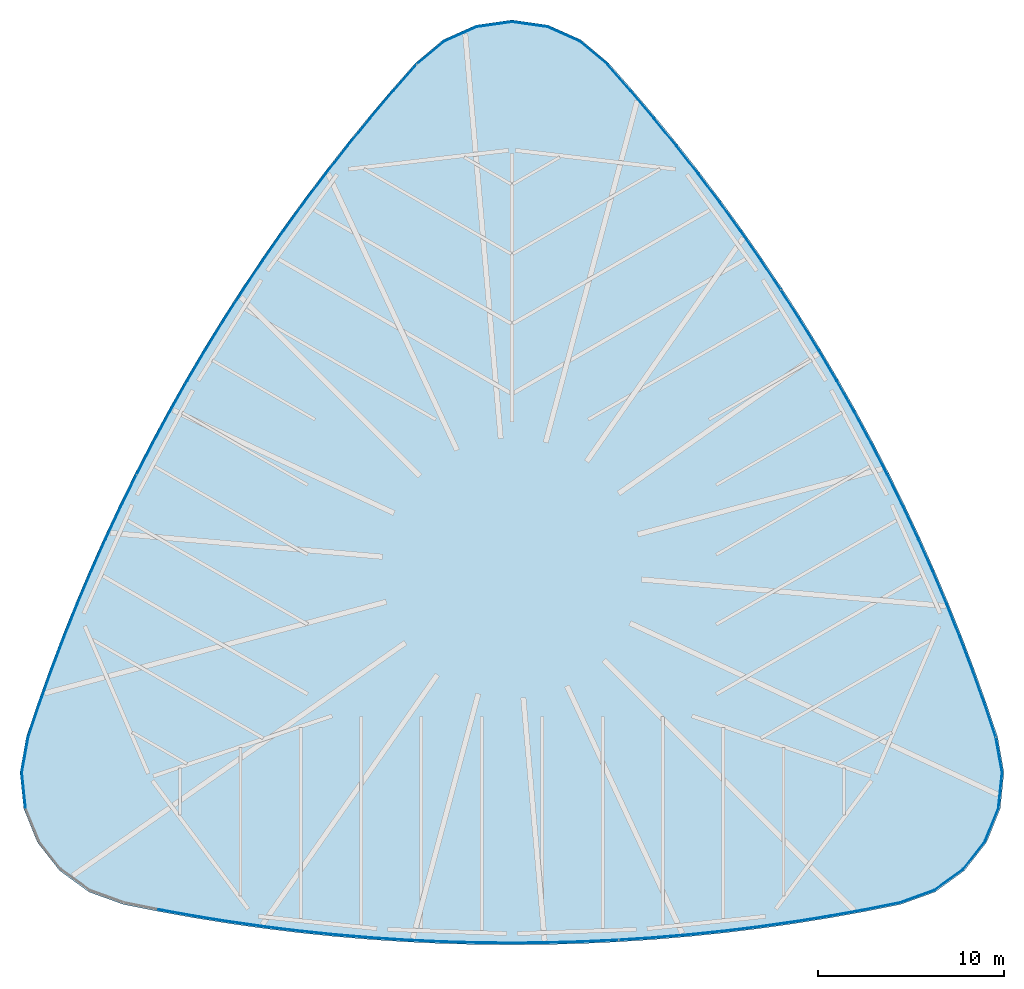
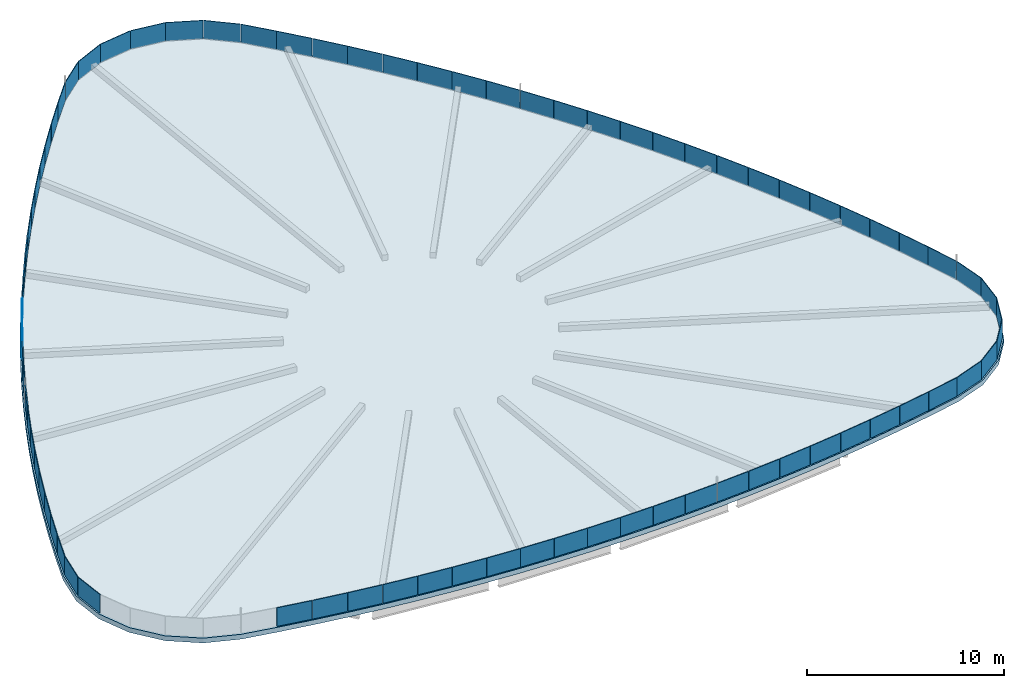
# One storey, part 2 of 9: 79 plates, 1 slab.
"""IFC4 building model written with IfcOpenShell, lengths in metres."""

from ifc_helpers import new_model, si_unit, direction, frame, origin, origin_2d, place, context, subcontext, project, spatial, polyline, rectangle, outline, extrude, material, layer, layer_set, type_object, element, save


model = new_model("IFC4")

# Units and contexts
model_context = context("Model", 3, precision=1e-05, world=origin(), true_north=direction((0.0, 1.0)))
body_context = subcontext(model_context, "Body", "Model", "MODEL_VIEW")
ifc_project = project(units=[si_unit("LENGTHUNIT", "METRE"), si_unit("AREAUNIT", "SQUARE_METRE"), si_unit("VOLUMEUNIT", "CUBIC_METRE"), si_unit("PLANEANGLEUNIT", "RADIAN"), si_unit("MASSUNIT", "GRAM", prefix="KILO")], contexts=[model_context])

# Site, building, storey
site_placement = place(None, origin())
site = spatial("IfcSite", under=ifc_project, at=site_placement, CompositionType="ELEMENT")
building_placement = place(site_placement, origin())
building = spatial("IfcBuilding", under=site, at=building_placement, Name="Sierra Prisma Convention Tower", CompositionType="ELEMENT")
storey_placement = place(building_placement, frame((0.0, 0.0, 361.0)))
storey = spatial("IfcBuildingStorey", under=building, at=storey_placement, Name="Roof", CompositionType="ELEMENT", Elevation=361.0)

# Slab
ifc_material_1 = material(Name="Concrete C50/60", Category="concrete")
ifc_layer_1 = layer(ifc_material_1, 0.300048828125)
ifc_layer_set_1 = layer_set([ifc_layer_1], Name="Roof canopy slab")
slab_type = type_object("IfcSlabType", Name="Roof canopy slab", PredefinedType="ROOF", material=ifc_layer_set_1)
slab_placement = place(storey_placement, origin())
element("IfcSlab", 1, at=slab_placement, inside=storey, type_object=slab_type, Name="Canopy roof slab", PredefinedType="ROOF", context=body_context, shape_type="SweptSolid", body=[
    extrude(outline(polyline([(-20.95703125, -18.11572265625), (-19.07568359375, -18.49365234375), (-17.187744140625, -18.836181640625), (-15.29345703125, -19.142822265625), (-13.3935546875, -19.41357421875), (-11.4892578125, -19.6484375), (-9.58056640625, -19.847412109375), (-7.66845703125, -20.01025390625), (-5.75390625, -20.136962890625), (-3.8369140625, -20.2275390625), (-1.9189453125, -20.281982421875), (0.0, -20.300048828125), (1.9189453125, -20.281982421875), (3.8369140625, -20.2275390625), (5.75390625, -20.136962890625), (7.66845703125, -20.01025390625), (9.58056640625, -19.847412109375), (11.4892578125, -19.6484375), (13.3935546875, -19.41357421875), (15.29345703125, -19.142822265625), (17.187744140625, -18.836181640625), (19.07568359375, -18.49365234375), (20.95703125, -18.11572265625), (22.792724609375, -17.45068359375), (24.373291015625, -16.304443359375), (25.575927734375, -14.766357421875), (26.306884765625, -12.955810546875), (26.50927734375, -11.013916015625), (26.167236328125, -9.091552734375), (25.553955078125, -7.273193359375), (24.906494140625, -5.466796875), (24.224853515625, -3.673095703125), (23.509521484375, -1.892333984375), (22.7607421875, -0.125732421875), (21.978759765625, 1.626708984375), (21.16357421875, 3.364013671875), (20.316162109375, 5.08544921875), (19.43603515625, 6.790771484375), (18.524169921875, 8.479248046875), (17.580322265625, 10.14990234375), (16.605224609375, 11.802734375), (15.59912109375, 13.436767578125), (14.562255859375, 15.051513671875), (13.4951171875, 16.646240234375), (12.398193359375, 18.220703125), (11.271484375, 19.774169921875), (10.115966796875, 21.30615234375), (8.931396484375, 22.81591796875), (7.71875, 24.302978515625), (6.478271484375, 25.76708984375), (5.210205078125, 27.207275390625), (3.71630859375, 28.464599609375), (1.933349609375, 29.26025390625), (0.0, 29.532470703125), (-1.933349609375, 29.26025390625), (-3.71630859375, 28.464599609375), (-5.210205078125, 27.207275390625), (-6.478271484375, 25.76708984375), (-7.71875, 24.302978515625), (-8.931396484375, 22.81591796875), (-10.115966796875, 21.30615234375), (-11.271484375, 19.774169921875), (-12.398193359375, 18.220703125), (-13.4951171875, 16.646240234375), (-14.562255859375, 15.051513671875), (-15.59912109375, 13.436767578125), (-16.605224609375, 11.802734375), (-17.580322265625, 10.14990234375), (-18.524169921875, 8.479248046875), (-19.43603515625, 6.790771484375), (-20.316162109375, 5.08544921875), (-21.16357421875, 3.364013671875), (-21.978759765625, 1.626708984375), (-22.7607421875, -0.125732421875), (-23.509521484375, -1.892333984375), (-24.224853515625, -3.673095703125), (-24.906494140625, -5.466796875), (-25.553955078125, -7.273193359375), (-26.167236328125, -9.091552734375), (-26.50927734375, -11.013916015625), (-26.306884765625, -12.955810546875), (-25.575927734375, -14.766357421875), (-24.373291015625, -16.304443359375), (-22.792724609375, -17.45068359375), (-20.95703125, -18.11572265625)])), origin(), (0.0, 0.0, 1.0), 0.300048828125),
])

# Plates
ifc_material_2 = material(Name="Laminated glass", Category="glass")
ifc_layer_2 = layer(ifc_material_2, 0.0400390625)
ifc_layer_set_2 = layer_set([ifc_layer_2], Name="Roof glass parapet")
plate_type = type_object("IfcPlateType", Name="Roof glass parapet", PredefinedType="SHEET", material=ifc_layer_set_2)
plate_1_placement = place(storey_placement, frame((-26.30859375, -11.974365234375, 0.300048828125), z_axis=(0.0, 0.0, 1.0), x_axis=(-0.103660539498, 0.994612734963, 0.0)))
element("IfcPlate", 2, at=plate_1_placement, inside=storey, type_object=plate_type, Name="Roof glass parapet", PredefinedType="SHEET", context=body_context, shape_type="SweptSolid", body=[
    extrude(rectangle(XDim=1.904296875, YDim=0.0400390625, at=origin_2d()), origin(), (0.0, 0.0, 1.0), 1.14990234375),
])
plate_2_placement = place(storey_placement, frame((-26.2392578125, -10.06689453125, 0.300048828125), z_axis=(0.0, 0.0, 1.0), x_axis=(0.175081483891, 0.984553946718, 0.0)))
element("IfcPlate", 3, at=plate_2_placement, inside=storey, type_object=plate_type, Name="Roof glass parapet", PredefinedType="SHEET", context=body_context, shape_type="SweptSolid", body=[
    extrude(rectangle(XDim=1.910888671875, YDim=0.0400390625, at=origin_2d()), origin(), (0.0, 0.0, 1.0), 1.14990234375),
])
plate_3_placement = place(storey_placement, frame((-25.764892578125, -8.211181640625, 0.300048828125), z_axis=(0.0, 0.0, 1.0), x_axis=(0.319637436428, 0.947539924876, 0.0)))
element("IfcPlate", 4, at=plate_3_placement, inside=storey, type_object=plate_type, Name="Roof glass parapet", PredefinedType="SHEET", context=body_context, shape_type="SweptSolid", body=[
    extrude(rectangle(XDim=1.890380859375, YDim=0.0400390625, at=origin_2d()), origin(), (0.0, 0.0, 1.0), 1.14990234375),
])
for number, where, z_axis, x_axis, name in (
    (5, (-25.135986328125, -6.40380859375, 0.300048828125), (0.0, 0.0, 1.0), (0.33746987587, 0.941336328248, 0.0), "Roof glass parapet"),
    (6, (-24.47216796875, -4.60546875, 0.300048828125), (0.0, 0.0, 1.0), (0.355182013879, 0.934797163569, 0.0), "Roof glass parapet"),
    (7, (-23.7744140625, -2.820068359375, 0.300048828125), (0.0, 0.0, 1.0), (0.372767536424, 0.927924761922, 0.0), "Roof glass parapet"),
    (8, (-23.04296875, -1.048095703125, 0.300048828125), (0.0, 0.0, 1.0), (0.390220174608, 0.920721573185, 0.0), "Roof glass parapet"),
    (9, (-22.2783203125, 0.709716796875, 0.300048828125), (0.0, 0.0, 1.0), (0.407533706906, 0.913190165155, 0.0), "Roof glass parapet"),
    (10, (-21.480712890625, 2.452880859375, 0.300048828125), (0.0, 0.0, 1.0), (0.424703541485, 0.905332481385, 0.0), "Roof glass parapet"),
    (11, (-20.650146484375, 4.1806640625, 0.300048828125), (0.0, 0.0, 1.0), (0.441720383714, 0.897152775514, 0.0), "Roof glass parapet"),
    (12, (-19.787109375, 5.892333984375, 0.300048828125), (0.0, 0.0, 1.0), (0.458579761236, 0.888653252166, 0.0), "Roof glass parapet"),
    (13, (-18.89208984375, 7.58740234375, 0.300048828125), (0.0, 0.0, 1.0), (0.475275664011, 0.879836941256, 0.0), "Roof glass parapet"),
    (14, (-17.965087890625, 9.265380859375, 0.300048828125), (0.0, 0.0, 1.0), (0.491802140277, 0.870706985626, 0.0), "Roof glass parapet"),
    (15, (-17.006591796875, 10.925537109375, 0.300048828125), (0.0, 0.0, 1.0), (0.508153298666, 0.861266639929, 0.0), "Roof glass parapet"),
    (16, (-16.01708984375, 12.5673828125, 0.300048828125), (0.0, 0.0, 1.0), (0.52432331031, 0.851519269462, 0.0), "Roof glass parapet"),
    (17, (-14.99658203125, 14.190185546875, 0.300048828125), (0.0, 0.0, 1.0), (0.540306410914, 0.841468348974, 0.0), "Roof glass parapet"),
    (18, (-13.945556640625, 15.793212890625, 0.300048828125), (0.0, 0.0, 1.0), (0.556096902814, 0.831117461422, 0.0), "Roof glass parapet"),
    (19, (-12.864501953125, 17.376220703125, 0.300048828125), (0.0, 0.0, 1.0), (0.571689157008, 0.820470296696, 0.0), "Roof glass parapet"),
    (20, (-11.75390625, 18.938720703125, 0.300048828125), (0.0, 0.0, 1.0), (0.587079028057, 0.809529625656, 0.0), "Roof glass parapet"),
    (21, (-10.614013671875, 20.47998046875, 0.300048828125), (0.0, 0.0, 1.0), (0.602258184887, 0.798301370872, 0.0), "Roof glass parapet"),
    (22, (-9.445068359375, 21.999267578125, 0.300048828125), (0.0, 0.0, 1.0), (0.617222648413, 0.78678853721, 0.0), "Roof glass parapet"),
    (23, (-8.24755859375, 23.49609375, 0.300048828125), (0.0, 0.0, 1.0), (0.631967084097, 0.774995228771, 0.0), "Roof glass parapet"),
    (24, (-7.022216796875, 24.970458984375, 0.300048828125), (0.0, 0.0, 1.0), (0.646486235833, 0.76292564964, 0.0), "Roof glass parapet"),
):
    element("IfcPlate", number, at=place(storey_placement, frame(where, z_axis=z_axis, x_axis=x_axis)), inside=storey, type_object=plate_type, Name=name, PredefinedType="SHEET", context=body_context, shape_type="SweptSolid", body=[
        extrude(rectangle(XDim=1.89697265625, YDim=0.0400390625, at=origin_2d()), origin(), (0.0, 0.0, 1.0), 1.14990234375),
    ])
plate_4_placement = place(storey_placement, frame((-5.771240234375, 26.418701171875, 0.300048828125), z_axis=(0.0, 0.0, 1.0), x_axis=(0.660774927828, 0.750584102385, 0.0)))
element("IfcPlate", 25, at=plate_4_placement, inside=storey, type_object=plate_type, Name="Roof glass parapet", PredefinedType="SHEET", context=body_context, shape_type="SweptSolid", body=[
    extrude(rectangle(XDim=1.890380859375, YDim=0.0400390625, at=origin_2d()), origin(), (0.0, 0.0, 1.0), 1.14990234375),
])
plate_5_placement = place(storey_placement, frame((-4.4013671875, 27.75732421875, 0.300048828125), z_axis=(0.0, 0.0, 1.0), x_axis=(0.765107987309, 0.643901986141, 0.0)))
element("IfcPlate", 26, at=plate_5_placement, inside=storey, type_object=plate_type, Name="Roof glass parapet", PredefinedType="SHEET", context=body_context, shape_type="SweptSolid", body=[
    extrude(rectangle(XDim=1.910888671875, YDim=0.0400390625, at=origin_2d()), origin(), (0.0, 0.0, 1.0), 1.14990234375),
])
for number, where, z_axis, x_axis, name in (
    (27, (-2.7841796875, 28.77099609375, 0.300048828125), (0.0, 0.0, 1.0), (0.913190165155, 0.407533706906, 0.0), "Roof glass parapet"),
    (28, (-0.95263671875, 29.29736328125, 0.300048828125), (0.0, 0.0, 1.0), (0.990227461896, 0.139461728463, 0.0), "Roof glass parapet"),
    (29, (0.95263671875, 29.29736328125, 0.300048828125), (0.0, 0.0, 1.0), (0.990227461896, -0.139461728463, 0.0), "Roof glass parapet"),
    (30, (2.7841796875, 28.77099609375, 0.300048828125), (0.0, 0.0, 1.0), (0.913190165155, -0.407533706906, 0.0), "Roof glass parapet"),
):
    element("IfcPlate", number, at=place(storey_placement, frame(where, z_axis=z_axis, x_axis=x_axis)), inside=storey, type_object=plate_type, Name=name, PredefinedType="SHEET", context=body_context, shape_type="SweptSolid", body=[
        extrude(rectangle(XDim=1.904296875, YDim=0.0400390625, at=origin_2d()), origin(), (0.0, 0.0, 1.0), 1.14990234375),
    ])
plate_6_placement = place(storey_placement, frame((4.4013671875, 27.75732421875, 0.300048828125), z_axis=(0.0, 0.0, 1.0), x_axis=(0.765107987309, -0.643901986141, 0.0)))
element("IfcPlate", 31, at=plate_6_placement, inside=storey, type_object=plate_type, Name="Roof glass parapet", PredefinedType="SHEET", context=body_context, shape_type="SweptSolid", body=[
    extrude(rectangle(XDim=1.910888671875, YDim=0.0400390625, at=origin_2d()), origin(), (0.0, 0.0, 1.0), 1.14990234375),
])
plate_7_placement = place(storey_placement, frame((5.771240234375, 26.418701171875, 0.300048828125), z_axis=(0.0, 0.0, 1.0), x_axis=(0.660774927828, -0.750584102385, 0.0)))
element("IfcPlate", 32, at=plate_7_placement, inside=storey, type_object=plate_type, Name="Roof glass parapet", PredefinedType="SHEET", context=body_context, shape_type="SweptSolid", body=[
    extrude(rectangle(XDim=1.890380859375, YDim=0.0400390625, at=origin_2d()), origin(), (0.0, 0.0, 1.0), 1.14990234375),
])
for number, where, z_axis, x_axis, name in (
    (33, (7.022216796875, 24.970458984375, 0.300048828125), (0.0, 0.0, 1.0), (0.646486235833, -0.76292564964, 0.0), "Roof glass parapet"),
    (34, (8.24755859375, 23.49609375, 0.300048828125), (0.0, 0.0, 1.0), (0.631967084097, -0.774995228771, 0.0), "Roof glass parapet"),
    (35, (9.445068359375, 21.999267578125, 0.300048828125), (0.0, 0.0, 1.0), (0.617222648413, -0.78678853721, 0.0), "Roof glass parapet"),
    (36, (10.614013671875, 20.47998046875, 0.300048828125), (0.0, 0.0, 1.0), (0.602258184887, -0.798301370872, 0.0), "Roof glass parapet"),
    (37, (11.75390625, 18.938720703125, 0.300048828125), (0.0, 0.0, 1.0), (0.587079028057, -0.809529625656, 0.0), "Roof glass parapet"),
    (38, (12.864501953125, 17.376220703125, 0.300048828125), (0.0, 0.0, 1.0), (0.571689157008, -0.820470296696, 0.0), "Roof glass parapet"),
    (39, (13.945556640625, 15.793212890625, 0.300048828125), (0.0, 0.0, 1.0), (0.556096902814, -0.831117461422, 0.0), "Roof glass parapet"),
    (40, (14.99658203125, 14.190185546875, 0.300048828125), (0.0, 0.0, 1.0), (0.540306410914, -0.841468348974, 0.0), "Roof glass parapet"),
    (41, (16.01708984375, 12.5673828125, 0.300048828125), (0.0, 0.0, 1.0), (0.52432331031, -0.851519269462, 0.0), "Roof glass parapet"),
    (42, (17.006591796875, 10.925537109375, 0.300048828125), (0.0, 0.0, 1.0), (0.508153298666, -0.861266639929, 0.0), "Roof glass parapet"),
    (43, (17.965087890625, 9.265380859375, 0.300048828125), (0.0, 0.0, 1.0), (0.491802140277, -0.870706985626, 0.0), "Roof glass parapet"),
    (44, (18.89208984375, 7.58740234375, 0.300048828125), (0.0, 0.0, 1.0), (0.475275664011, -0.879836941256, 0.0), "Roof glass parapet"),
    (45, (19.787109375, 5.892333984375, 0.300048828125), (0.0, 0.0, 1.0), (0.458579761236, -0.888653252166, 0.0), "Roof glass parapet"),
    (46, (20.650146484375, 4.1806640625, 0.300048828125), (0.0, 0.0, 1.0), (0.441720383714, -0.897152775514, 0.0), "Roof glass parapet"),
    (47, (21.480712890625, 2.452880859375, 0.300048828125), (0.0, 0.0, 1.0), (0.424703541485, -0.905332481385, 0.0), "Roof glass parapet"),
    (48, (22.2783203125, 0.709716796875, 0.300048828125), (0.0, 0.0, 1.0), (0.407533706906, -0.913190165155, 0.0), "Roof glass parapet"),
    (49, (23.04296875, -1.048095703125, 0.300048828125), (0.0, 0.0, 1.0), (0.390220174608, -0.920721573185, 0.0), "Roof glass parapet"),
    (50, (23.7744140625, -2.820068359375, 0.300048828125), (0.0, 0.0, 1.0), (0.372767536424, -0.927924761922, 0.0), "Roof glass parapet"),
    (51, (24.47216796875, -4.60546875, 0.300048828125), (0.0, 0.0, 1.0), (0.355182013879, -0.934797163569, 0.0), "Roof glass parapet"),
    (52, (25.135986328125, -6.40380859375, 0.300048828125), (0.0, 0.0, 1.0), (0.33746987587, -0.941336328248, 0.0), "Roof glass parapet"),
):
    element("IfcPlate", number, at=place(storey_placement, frame(where, z_axis=z_axis, x_axis=x_axis)), inside=storey, type_object=plate_type, Name=name, PredefinedType="SHEET", context=body_context, shape_type="SweptSolid", body=[
        extrude(rectangle(XDim=1.89697265625, YDim=0.0400390625, at=origin_2d()), origin(), (0.0, 0.0, 1.0), 1.14990234375),
    ])
plate_8_placement = place(storey_placement, frame((25.764892578125, -8.211181640625, 0.300048828125), z_axis=(0.0, 0.0, 1.0), x_axis=(0.319637436428, -0.947539924876, 0.0)))
element("IfcPlate", 53, at=plate_8_placement, inside=storey, type_object=plate_type, Name="Roof glass parapet", PredefinedType="SHEET", context=body_context, shape_type="SweptSolid", body=[
    extrude(rectangle(XDim=1.890380859375, YDim=0.0400390625, at=origin_2d()), origin(), (0.0, 0.0, 1.0), 1.14990234375),
])
plate_9_placement = place(storey_placement, frame((26.2392578125, -10.06689453125, 0.300048828125), z_axis=(0.0, 0.0, 1.0), x_axis=(0.175081483891, -0.984553946718, 0.0)))
element("IfcPlate", 54, at=plate_9_placement, inside=storey, type_object=plate_type, Name="Roof glass parapet", PredefinedType="SHEET", context=body_context, shape_type="SweptSolid", body=[
    extrude(rectangle(XDim=1.910888671875, YDim=0.0400390625, at=origin_2d()), origin(), (0.0, 0.0, 1.0), 1.14990234375),
])
for number, where, z_axis, x_axis, name in (
    (55, (26.30859375, -11.974365234375, 0.300048828125), (0.0, 0.0, 1.0), (-0.103660539498, -0.994612734963, 0.0), "Roof glass parapet"),
    (56, (25.8486328125, -13.823486328125, 0.300048828125), (0.0, 0.0, 1.0), (-0.374336331243, -0.927293001759, 0.0), "Roof glass parapet"),
    (57, (24.89599609375, -15.473876953125, 0.300048828125), (0.0, 0.0, 1.0), (-0.615891130653, -0.787831273296, 0.0), "Roof glass parapet"),
    (58, (23.5244140625, -16.796630859375, 0.300048828125), (0.0, 0.0, 1.0), (-0.809529625656, -0.587079028057, 0.0), "Roof glass parapet"),
):
    element("IfcPlate", number, at=place(storey_placement, frame(where, z_axis=z_axis, x_axis=x_axis)), inside=storey, type_object=plate_type, Name=name, PredefinedType="SHEET", context=body_context, shape_type="SweptSolid", body=[
        extrude(rectangle(XDim=1.904296875, YDim=0.0400390625, at=origin_2d()), origin(), (0.0, 0.0, 1.0), 1.14990234375),
    ])
plate_10_placement = place(storey_placement, frame((21.837890625, -17.6904296875, 0.300048828125), z_axis=(0.0, 0.0, 1.0), x_axis=(-0.9401894712, -0.340651960577, 0.0)))
element("IfcPlate", 59, at=plate_10_placement, inside=storey, type_object=plate_type, Name="Roof glass parapet", PredefinedType="SHEET", context=body_context, shape_type="SweptSolid", body=[
    extrude(rectangle(XDim=1.910888671875, YDim=0.0400390625, at=origin_2d()), origin(), (0.0, 0.0, 1.0), 1.14990234375),
])
plate_11_placement = place(storey_placement, frame((19.99365234375, -18.20751953125, 0.300048828125), z_axis=(0.0, 0.0, 1.0), x_axis=(-0.980412364257, -0.196955822491, 0.0)))
element("IfcPlate", 60, at=plate_11_placement, inside=storey, type_object=plate_type, Name="Roof glass parapet", PredefinedType="SHEET", context=body_context, shape_type="SweptSolid", body=[
    extrude(rectangle(XDim=1.890380859375, YDim=0.0400390625, at=origin_2d()), origin(), (0.0, 0.0, 1.0), 1.14990234375),
])
for number, where, z_axis, x_axis, name in (
    (61, (18.114013671875, -18.56640625, 0.300048828125), (0.0, 0.0, 1.0), (-0.983956111703, -0.178410678609, 0.0), "Roof glass parapet"),
    (62, (16.224609375, -18.890625, 0.300048828125), (0.0, 0.0, 1.0), (-0.987149097976, -0.159801934798, 0.0), "Roof glass parapet"),
    (63, (14.329345703125, -19.17919921875, 0.300048828125), (0.0, 0.0, 1.0), (-0.989990184837, -0.141136224712, 0.0), "Roof glass parapet"),
    (64, (12.42919921875, -19.431884765625, 0.300048828125), (0.0, 0.0, 1.0), (-0.992478359495, -0.122420202313, 0.0), "Roof glass parapet"),
    (65, (10.5244140625, -19.6484375, 0.300048828125), (0.0, 0.0, 1.0), (-0.994612734963, -0.103660539498, 0.0), "Roof glass parapet"),
    (66, (8.6162109375, -19.8291015625, 0.300048828125), (0.0, 0.0, 1.0), (-0.996392698493, -0.084862184689, 0.0), "Roof glass parapet"),
    (67, (6.70458984375, -19.973876953125, 0.300048828125), (0.0, 0.0, 1.0), (-0.997817286527, -0.066035314091, 0.0), "Roof glass parapet"),
    (68, (4.790771484375, -20.08251953125, 0.300048828125), (0.0, 0.0, 1.0), (-0.998886172149, -0.047184903192, 0.0), "Roof glass parapet"),
    (69, (2.875, -20.15478515625, 0.300048828125), (0.0, 0.0, 1.0), (-0.999598974321, -0.028317671794, 0.0), "Roof glass parapet"),
    (70, (0.95849609375, -20.19091796875, 0.300048828125), (0.0, 0.0, 1.0), (-0.999955438944, -0.009440345698, 0.0), "Roof glass parapet"),
    (71, (-0.95849609375, -20.19091796875, 0.300048828125), (0.0, 0.0, 1.0), (-0.999955438944, 0.009440345698, 0.0), "Roof glass parapet"),
    (72, (-2.875, -20.15478515625, 0.300048828125), (0.0, 0.0, 1.0), (-0.999598974321, 0.028317671794, 0.0), "Roof glass parapet"),
    (73, (-4.790771484375, -20.08251953125, 0.300048828125), (0.0, 0.0, 1.0), (-0.998886172149, 0.047184903192, 0.0), "Roof glass parapet"),
    (74, (-6.70458984375, -19.973876953125, 0.300048828125), (0.0, 0.0, 1.0), (-0.997817286527, 0.066035314091, 0.0), "Roof glass parapet"),
    (75, (-8.6162109375, -19.8291015625, 0.300048828125), (0.0, 0.0, 1.0), (-0.996392698493, 0.084862184689, 0.0), "Roof glass parapet"),
    (76, (-10.5244140625, -19.6484375, 0.300048828125), (0.0, 0.0, 1.0), (-0.994612734963, 0.103660539498, 0.0), "Roof glass parapet"),
    (77, (-12.42919921875, -19.431884765625, 0.300048828125), (0.0, 0.0, 1.0), (-0.992478359495, 0.122420202313, 0.0), "Roof glass parapet"),
    (78, (-14.329345703125, -19.17919921875, 0.300048828125), (0.0, 0.0, 1.0), (-0.989990184837, 0.141136224712, 0.0), "Roof glass parapet"),
    (79, (-16.224609375, -18.890625, 0.300048828125), (0.0, 0.0, 1.0), (-0.987149097976, 0.159801934798, 0.0), "Roof glass parapet"),
    (80, (-18.114013671875, -18.56640625, 0.300048828125), (0.0, 0.0, 1.0), (-0.983956111703, 0.178410678609, 0.0), "Roof glass parapet"),
):
    element("IfcPlate", number, at=place(storey_placement, frame(where, z_axis=z_axis, x_axis=x_axis)), inside=storey, type_object=plate_type, Name=name, PredefinedType="SHEET", context=body_context, shape_type="SweptSolid", body=[
        extrude(rectangle(XDim=1.89697265625, YDim=0.0400390625, at=origin_2d()), origin(), (0.0, 0.0, 1.0), 1.14990234375),
    ])

save(model, "model.ifc")
